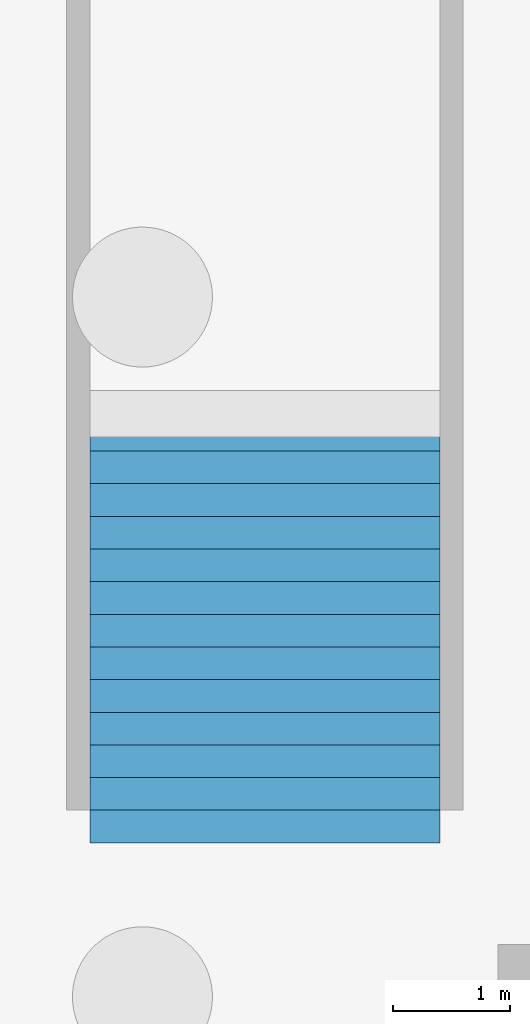
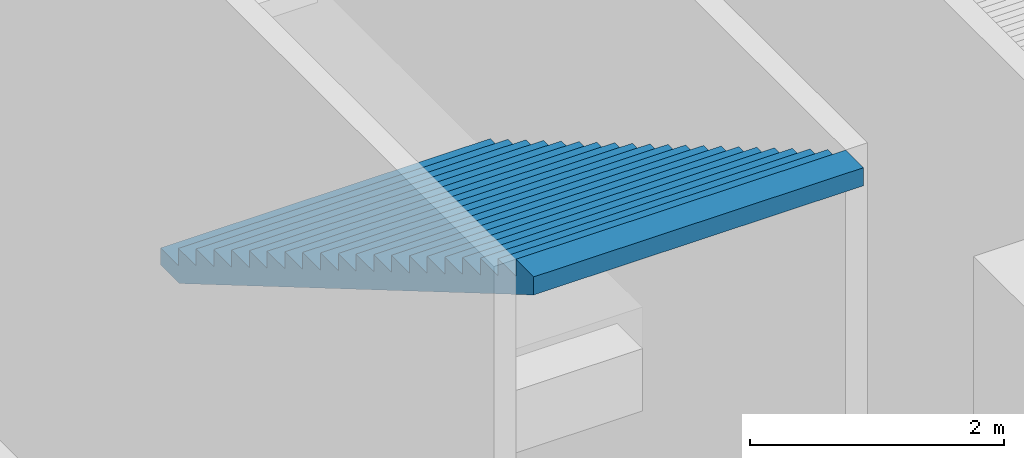
# One storey, part 11 of 16: 1 stair flight, 1 element without a shape of its own.
"""IFC4 building model written with IfcOpenShell, lengths in metres."""

import ifcopenshell
import ifcopenshell.guid

model = None  # the IFC model being written
_history = None  # IfcOwnerHistory: only IFC2X3 demands one
_inside = {}  # id of a spatial element -> (the spatial element, [elements in it])
_under = {}  # id of a project, library or spatial element -> (it, [spatial elements below it])
_declared = {}  # id of a project -> (the project, [libraries it declares])
_typed = {}  # id of a type object -> (the type object, [elements of that type])
_made_of = {}  # id of a material, layer set ... -> (it, [elements and type objects made of it])


def new_model(schema):
    """Start an empty IFC model of exactly this schema.

    Asked for "IFC4X3", IfcOpenShell would pick the latest addendum, in which some entities
    have other attributes; the version numbers below select the first issue.
    IFC2X3 requires an IfcOwnerHistory on every rooted entity: one is made here for all.
    """
    global model, _history
    if schema == "IFC4X3":
        model = ifcopenshell.file(schema_version=(4, 3, 0, 0))
    else:
        model = ifcopenshell.file(schema=schema)
    _inside.clear()
    _under.clear()
    _declared.clear()
    _typed.clear()
    _made_of.clear()
    _history = None
    if model.schema == "IFC2X3":
        org = make("IfcOrganization", Name="unknown")
        user = make(
            "IfcPersonAndOrganization",
            ThePerson=make("IfcPerson", FamilyName="unknown"),
            TheOrganization=org,
        )
        app = make(
            "IfcApplication",
            ApplicationDeveloper=org,
            Version="unknown",
            ApplicationFullName="unknown",
            ApplicationIdentifier="unknown",
        )
        _history = make(
            "IfcOwnerHistory",
            OwningUser=user,
            OwningApplication=app,
            ChangeAction="ADDED",
            CreationDate=0,
        )
    return model


def make(cls, **values):
    """One entity of the class cls with the attributes given. An attribute that is None is left unset."""
    return model.create_entity(
        cls, **{name: value for name, value in values.items() if value is not None}
    )


def rooted(cls, **values):
    """An entity with a GlobalId (a new one), such as an element, a storey or a relation."""
    return make(cls, GlobalId=ifcopenshell.guid.new(), OwnerHistory=_history, **values)


def si_unit(unit_type, name, prefix=None):
    """IfcSIUnit, for example si_unit("LENGTHUNIT", "METRE", prefix="MILLI")."""
    return make("IfcSIUnit", UnitType=unit_type, Prefix=prefix, Name=name)


def assignment(units):
    """IfcUnitAssignment: the units of a project."""
    return None if units is None else make("IfcUnitAssignment", Units=units)


def point(xyz):
    """IfcCartesianPoint."""
    return None if xyz is None else make("IfcCartesianPoint", Coordinates=xyz)


def direction(xyz):
    """IfcDirection."""
    return None if xyz is None else make("IfcDirection", DirectionRatios=xyz)


def frame(location, z_axis=None, x_axis=None):
    """IfcAxis2Placement3D, a coordinate frame: its origin and axes. An axis left out is left unset."""
    return make(
        "IfcAxis2Placement3D",
        Location=point(location),
        Axis=direction(z_axis),
        RefDirection=direction(x_axis),
    )


def origin():
    """The frame at (0, 0, 0) with its axes left unset."""
    return frame((0.0, 0.0, 0.0))


def place(relative_to, where):
    """IfcLocalPlacement: puts the frame where relative to a parent placement (None: the world)."""
    return make(
        "IfcLocalPlacement", PlacementRelTo=relative_to, RelativePlacement=where
    )


def context(
    kind, dimensions, precision=None, world=None, true_north=None, identifier=None
):
    """IfcGeometricRepresentationContext, for example the 3D "Model" context."""
    return make(
        "IfcGeometricRepresentationContext",
        ContextIdentifier=identifier,
        ContextType=kind,
        CoordinateSpaceDimension=dimensions,
        Precision=precision,
        WorldCoordinateSystem=world,
        TrueNorth=true_north,
    )


def subcontext(parent, identifier, kind, view, scale=None):
    """IfcGeometricRepresentationSubContext, for example "Body" below "Model"."""
    return make(
        "IfcGeometricRepresentationSubContext",
        ContextIdentifier=identifier,
        ContextType=kind,
        ParentContext=parent,
        TargetScale=scale,
        TargetView=view,
    )


def project(units=None, contexts=None):
    """IfcProject with its units and contexts."""
    return rooted(
        "IfcProject",
        Name="project",
        RepresentationContexts=contexts,
        UnitsInContext=assignment(units),
    )


def spatial(cls, under=None, at=None, **own):
    """A site, building, storey or space (cls), placed at a placement, below another one or the project."""
    s = rooted(cls, ObjectPlacement=at, **own)
    if under is not None:
        _under.setdefault(under.id(), (under, []))[1].append(s)
    return s


def faces_of(points, faces, orient=None, outer=None):
    """IfcFace entities. A face is a list of loops; a loop is a list of indices into points, from 0.

    orient and outer hold one flag for each loop. By default every Orientation is true, the
    first loop of a face is its IfcFaceOuterBound and the others are IfcFaceBound.
    """
    made = []
    for i, loops in enumerate(faces):
        bounds = []
        for j, loop in enumerate(loops):
            is_outer = j == 0 if outer is None else outer[i][j]
            bounds.append(
                make(
                    "IfcFaceOuterBound" if is_outer else "IfcFaceBound",
                    Bound=make("IfcPolyLoop", Polygon=[points[k] for k in loop]),
                    Orientation=True if orient is None else orient[i][j],
                )
            )
        made.append(make("IfcFace", Bounds=bounds))
    return made


def faceted_brep(points, faces, orient=None, outer=None, voids=None):
    """IfcFacetedBrep: a solid bounded by flat faces; with voids (closed shells), ...WithVoids."""
    shared = [point(p) for p in points]
    hull = make("IfcClosedShell", CfsFaces=faces_of(shared, faces, orient, outer))
    if voids is None:
        return make("IfcFacetedBrep", Outer=hull)
    return make(
        "IfcFacetedBrepWithVoids",
        Outer=hull,
        Voids=[
            make(cls, CfsFaces=faces_of(shared, fs, o, b)) for cls, fs, o, b in voids
        ],
    )


def shape(context_of_items, identifier, shape_type, items):
    """IfcShapeRepresentation: the items that make up one representation, for example the "Body"."""
    return make(
        "IfcShapeRepresentation",
        ContextOfItems=context_of_items,
        RepresentationIdentifier=identifier,
        RepresentationType=shape_type,
        Items=items,
    )


def material(Name=None, Category=None):
    """IfcMaterial."""
    return make("IfcMaterial", Name=Name, Category=Category)


def made_of(thing, what):
    """Note that an element or type object is made of a material, layer set ...; save() writes the relation."""
    if what is not None:
        _made_of.setdefault(what.id(), (what, []))[1].append(thing)
    return thing


def type_object(cls, material=None, **own):
    """A type object (cls), such as IfcWallType, which elements share."""
    return made_of(rooted(cls, **own), material)


def element(
    cls,
    number,
    at=None,
    inside=None,
    cuts=None,
    type_object=None,
    material=None,
    context=None,
    identifier="Body",
    shape_type=None,
    held_by="IfcProductDefinitionShape",
    body=None,
    shapes=None,
    **own,
):
    """One element of the class cls, such as IfcWall. Its Tag is "e" and its number.

    at: its placement. inside: the storey or other place that contains it. cuts: it is an
    opening in that element (IfcRelVoidsElement). A single representation is given by context,
    identifier, shape_type and body (its items); several are given by shapes. held_by: the class
    of the entity that holds the representations. save() writes the other relations.
    """
    e = rooted(cls, Tag="e%d" % number, ObjectPlacement=at, **own)
    if body is not None:
        shapes = [shape(context, identifier, shape_type, body)]
    if shapes is not None:
        e.Representation = make(held_by, Representations=shapes)
    if inside is not None:
        _inside.setdefault(inside.id(), (inside, []))[1].append(e)
    if cuts is not None:
        rooted(
            "IfcRelVoidsElement", RelatingBuildingElement=cuts, RelatedOpeningElement=e
        )
    if type_object is not None:
        _typed.setdefault(type_object.id(), (type_object, []))[1].append(e)
    return made_of(e, material)


def aggregate(whole, parts):
    """IfcRelAggregates: a whole, such as a stair, and the parts it consists of."""
    return rooted("IfcRelAggregates", RelatingObject=whole, RelatedObjects=parts)


def save(model, path):
    """Write the relations noted so far, then the file.

    IfcRelAggregates (storeys below a building ...), IfcRelContainedInSpatialStructure (elements
    in a storey), IfcRelDefinesByType, IfcRelAssociatesMaterial and IfcRelDeclares: one each for
    every whole, place, type object, material and project.
    """
    for whole, parts in _under.values():
        aggregate(whole, parts)
    for where, things in _inside.values():
        rooted(
            "IfcRelContainedInSpatialStructure",
            RelatedElements=things,
            RelatingStructure=where,
        )
    for kind, things in _typed.values():
        rooted("IfcRelDefinesByType", RelatedObjects=things, RelatingType=kind)
    for what, things in _made_of.values():
        rooted("IfcRelAssociatesMaterial", RelatedObjects=things, RelatingMaterial=what)
    for by, libraries in _declared.values():
        rooted("IfcRelDeclares", RelatingContext=by, RelatedDefinitions=libraries)
    model.write(path)


model = new_model("IFC4")

# Units and contexts
model_context = context("Model", 3, precision=1e-05, world=origin(), true_north=direction((0.0, 1.0)))
body_context = subcontext(model_context, "Body", "Model", "MODEL_VIEW")
ifc_project = project(units=[si_unit("LENGTHUNIT", "METRE"), si_unit("AREAUNIT", "SQUARE_METRE"), si_unit("VOLUMEUNIT", "CUBIC_METRE"), si_unit("PLANEANGLEUNIT", "RADIAN"), si_unit("MASSUNIT", "GRAM", prefix="KILO")], contexts=[model_context])

# Site, building, storey
site_placement = place(None, origin())
site = spatial("IfcSite", under=ifc_project, at=site_placement, CompositionType="ELEMENT")
building_placement = place(site_placement, origin())
building = spatial("IfcBuilding", under=site, at=building_placement, Name="Ogive Plaza Stadium", CompositionType="ELEMENT")
storey_placement = place(building_placement, frame((0.0, 0.0, -11.39990234375)))
storey = spatial("IfcBuildingStorey", under=building, at=storey_placement, Name="B2", CompositionType="ELEMENT", Elevation=-11.39990234375)

# Stair, stair flight
ifc_material_1 = material(Name="Concrete C40/50", Category="concrete")
stair_type = type_object("IfcStairType", Name="Station stair 3000", PredefinedType="TWO_STRAIGHT_RUN_STAIR", material=ifc_material_1)
stair_placement = place(storey_placement, origin())
stair = element("IfcStair", 1, at=stair_placement, inside=storey, type_object=stair_type, Name="Stair PS3", PredefinedType="TWO_STRAIGHT_RUN_STAIR")
ifc_material_2 = material(Name="Concrete C40/50", Category="concrete")
stair_flight_type = type_object("IfcStairFlightType", Name="Station stair flight 3000", PredefinedType="STRAIGHT", material=ifc_material_2)
stair_flight_placement = place(storey_placement, frame((105.050048828125, 34.199951171875, 3.449951171875), z_axis=(0.0, 0.0, 1.0), x_axis=(0.0, -1.0, 0.0)))
stair_flight = element("IfcStairFlight", 2, at=stair_flight_placement, type_object=stair_flight_type, Name="PS3 flight 2", NumberOfRisers=21, NumberOfTreads=20, PredefinedType="STRAIGHT", RiserHeight=0.164285714, TreadLength=0.28, context=body_context, shape_type="Brep", body=[
    faceted_brep([(0.296142578125, -1.5, 0.0), (5.8798828125, -1.5, 3.276123046875), (5.8798828125, -1.5, 3.449951171875), (5.60009765625, -1.5, 3.449951171875), (5.60009765625, -1.5, 3.28564453125), (5.320068359375, -1.5, 3.28564453125), (5.320068359375, -1.5, 3.121337890625), (5.0400390625, -1.5, 3.121337890625), (5.0400390625, -1.5, 2.95703125), (4.760009765625, -1.5, 2.95703125), (4.760009765625, -1.5, 2.79296875), (4.47998046875, -1.5, 2.79296875), (4.47998046875, -1.5, 2.628662109375), (4.199951171875, -1.5, 2.628662109375), (4.199951171875, -1.5, 2.46435546875), (3.919921875, -1.5, 2.46435546875), (3.919921875, -1.5, 2.300048828125), (3.639892578125, -1.5, 2.300048828125), (3.639892578125, -1.5, 2.1357421875), (3.360107421875, -1.5, 2.1357421875), (3.360107421875, -1.5, 1.971435546875), (3.080078125, -1.5, 1.971435546875), (3.080078125, -1.5, 1.80712890625), (2.800048828125, -1.5, 1.80712890625), (2.800048828125, -1.5, 1.642822265625), (2.52001953125, -1.5, 1.642822265625), (2.52001953125, -1.5, 1.478515625), (2.239990234375, -1.5, 1.478515625), (2.239990234375, -1.5, 1.314208984375), (1.9599609375, -1.5, 1.314208984375), (1.9599609375, -1.5, 1.14990234375), (1.679931640625, -1.5, 1.14990234375), (1.679931640625, -1.5, 0.985595703125), (1.39990234375, -1.5, 0.985595703125), (1.39990234375, -1.5, 0.821533203125), (1.1201171875, -1.5, 0.821533203125), (1.1201171875, -1.5, 0.6572265625), (0.840087890625, -1.5, 0.6572265625), (0.840087890625, -1.5, 0.492919921875), (0.56005859375, -1.5, 0.492919921875), (0.56005859375, -1.5, 0.32861328125), (0.280029296875, -1.5, 0.32861328125), (0.280029296875, -1.5, 0.164306640625), (0.0, -1.5, 0.164306640625), (0.0, -1.5, 0.0), (0.0, 1.5, 0.0), (0.0, 1.5, 0.164306640625), (0.280029296875, 1.5, 0.164306640625), (0.280029296875, 1.5, 0.32861328125), (0.56005859375, 1.5, 0.32861328125), (0.56005859375, 1.5, 0.492919921875), (0.840087890625, 1.5, 0.492919921875), (0.840087890625, 1.5, 0.6572265625), (1.1201171875, 1.5, 0.6572265625), (1.1201171875, 1.5, 0.821533203125), (1.39990234375, 1.5, 0.821533203125), (1.39990234375, 1.5, 0.985595703125), (1.679931640625, 1.5, 0.985595703125), (1.679931640625, 1.5, 1.14990234375), (1.9599609375, 1.5, 1.14990234375), (1.9599609375, 1.5, 1.314208984375), (2.239990234375, 1.5, 1.314208984375), (2.239990234375, 1.5, 1.478515625), (2.52001953125, 1.5, 1.478515625), (2.52001953125, 1.5, 1.642822265625), (2.800048828125, 1.5, 1.642822265625), (2.800048828125, 1.5, 1.80712890625), (3.080078125, 1.5, 1.80712890625), (3.080078125, 1.5, 1.971435546875), (3.360107421875, 1.5, 1.971435546875), (3.360107421875, 1.5, 2.1357421875), (3.639892578125, 1.5, 2.1357421875), (3.639892578125, 1.5, 2.300048828125), (3.919921875, 1.5, 2.300048828125), (3.919921875, 1.5, 2.46435546875), (4.199951171875, 1.5, 2.46435546875), (4.199951171875, 1.5, 2.628662109375), (4.47998046875, 1.5, 2.628662109375), (4.47998046875, 1.5, 2.79296875), (4.760009765625, 1.5, 2.79296875), (4.760009765625, 1.5, 2.95703125), (5.0400390625, 1.5, 2.95703125), (5.0400390625, 1.5, 3.121337890625), (5.320068359375, 1.5, 3.121337890625), (5.320068359375, 1.5, 3.28564453125), (5.60009765625, 1.5, 3.28564453125), (5.60009765625, 1.5, 3.449951171875), (5.8798828125, 1.5, 3.449951171875), (5.8798828125, 1.5, 3.276123046875), (0.296142578125, 1.5, 0.0), (0.296142578125, -1.166748046875, 0.0), (5.8798828125, -1.166748046875, 3.276123046875), (0.296142578125, -0.833251953125, 0.0), (5.8798828125, -0.833251953125, 3.276123046875), (0.296142578125, -0.5, 0.0), (5.8798828125, -0.5, 3.276123046875), (0.296142578125, -0.166748046875, 0.0), (5.8798828125, -0.166748046875, 3.276123046875), (0.296142578125, 0.166748046875, 0.0), (5.8798828125, 0.166748046875, 3.276123046875), (0.296142578125, 0.5, 0.0), (5.8798828125, 0.5, 3.276123046875), (0.296142578125, 0.833251953125, 0.0), (5.8798828125, 0.833251953125, 3.276123046875), (0.296142578125, 1.166748046875, 0.0), (5.8798828125, 1.166748046875, 3.276123046875), (5.8798828125, -1.166748046875, 3.449951171875), (5.8798828125, -0.833251953125, 3.449951171875), (5.8798828125, -0.5, 3.449951171875), (5.8798828125, -0.166748046875, 3.449951171875), (5.8798828125, 0.166748046875, 3.449951171875), (5.8798828125, 0.5, 3.449951171875), (5.8798828125, 0.833251953125, 3.449951171875), (5.8798828125, 1.166748046875, 3.449951171875), (5.60009765625, -1.166748046875, 3.449951171875), (5.60009765625, -0.833251953125, 3.449951171875), (5.60009765625, -0.5, 3.449951171875), (5.60009765625, -0.166748046875, 3.449951171875), (5.60009765625, 0.166748046875, 3.449951171875), (5.60009765625, 0.5, 3.449951171875), (5.60009765625, 0.833251953125, 3.449951171875), (5.60009765625, 1.166748046875, 3.449951171875), (5.60009765625, -1.166748046875, 3.28564453125), (5.60009765625, -0.833251953125, 3.28564453125), (5.60009765625, -0.5, 3.28564453125), (5.60009765625, -0.166748046875, 3.28564453125), (5.60009765625, 0.166748046875, 3.28564453125), (5.60009765625, 0.5, 3.28564453125), (5.60009765625, 0.833251953125, 3.28564453125), (5.60009765625, 1.166748046875, 3.28564453125), (5.320068359375, -1.166748046875, 3.28564453125), (5.320068359375, -0.833251953125, 3.28564453125), (5.320068359375, -0.5, 3.28564453125), (5.320068359375, -0.166748046875, 3.28564453125), (5.320068359375, 0.166748046875, 3.28564453125), (5.320068359375, 0.5, 3.28564453125), (5.320068359375, 0.833251953125, 3.28564453125), (5.320068359375, 1.166748046875, 3.28564453125), (5.320068359375, -1.166748046875, 3.121337890625), (5.320068359375, -0.833251953125, 3.121337890625), (5.320068359375, -0.5, 3.121337890625), (5.320068359375, -0.166748046875, 3.121337890625), (5.320068359375, 0.166748046875, 3.121337890625), (5.320068359375, 0.5, 3.121337890625), (5.320068359375, 0.833251953125, 3.121337890625), (5.320068359375, 1.166748046875, 3.121337890625), (5.0400390625, -1.166748046875, 3.121337890625), (5.0400390625, -0.833251953125, 3.121337890625), (5.0400390625, -0.5, 3.121337890625), (5.0400390625, -0.166748046875, 3.121337890625), (5.0400390625, 0.166748046875, 3.121337890625), (5.0400390625, 0.5, 3.121337890625), (5.0400390625, 0.833251953125, 3.121337890625), (5.0400390625, 1.166748046875, 3.121337890625), (5.0400390625, -1.166748046875, 2.95703125), (5.0400390625, -0.833251953125, 2.95703125), (5.0400390625, -0.5, 2.95703125), (5.0400390625, -0.166748046875, 2.95703125), (5.0400390625, 0.166748046875, 2.95703125), (5.0400390625, 0.5, 2.95703125), (5.0400390625, 0.833251953125, 2.95703125), (5.0400390625, 1.166748046875, 2.95703125), (4.760009765625, -1.166748046875, 2.95703125), (4.760009765625, -0.833251953125, 2.95703125), (4.760009765625, -0.5, 2.95703125), (4.760009765625, -0.166748046875, 2.95703125), (4.760009765625, 0.166748046875, 2.95703125), (4.760009765625, 0.5, 2.95703125), (4.760009765625, 0.833251953125, 2.95703125), (4.760009765625, 1.166748046875, 2.95703125), (4.760009765625, -1.166748046875, 2.79296875), (4.760009765625, -0.833251953125, 2.79296875), (4.760009765625, -0.5, 2.79296875), (4.760009765625, -0.166748046875, 2.79296875), (4.760009765625, 0.166748046875, 2.79296875), (4.760009765625, 0.5, 2.79296875), (4.760009765625, 0.833251953125, 2.79296875), (4.760009765625, 1.166748046875, 2.79296875), (4.47998046875, -1.166748046875, 2.79296875), (4.47998046875, -0.833251953125, 2.79296875), (4.47998046875, -0.5, 2.79296875), (4.47998046875, -0.166748046875, 2.79296875), (4.47998046875, 0.166748046875, 2.79296875), (4.47998046875, 0.5, 2.79296875), (4.47998046875, 0.833251953125, 2.79296875), (4.47998046875, 1.166748046875, 2.79296875), (4.47998046875, -1.166748046875, 2.628662109375), (4.47998046875, -0.833251953125, 2.628662109375), (4.47998046875, -0.5, 2.628662109375), (4.47998046875, -0.166748046875, 2.628662109375), (4.47998046875, 0.166748046875, 2.628662109375), (4.47998046875, 0.5, 2.628662109375), (4.47998046875, 0.833251953125, 2.628662109375), (4.47998046875, 1.166748046875, 2.628662109375), (4.199951171875, -1.166748046875, 2.628662109375), (4.199951171875, -0.833251953125, 2.628662109375), (4.199951171875, -0.5, 2.628662109375), (4.199951171875, -0.166748046875, 2.628662109375), (4.199951171875, 0.166748046875, 2.628662109375), (4.199951171875, 0.5, 2.628662109375), (4.199951171875, 0.833251953125, 2.628662109375), (4.199951171875, 1.166748046875, 2.628662109375), (4.199951171875, -1.166748046875, 2.46435546875), (4.199951171875, -0.833251953125, 2.46435546875), (4.199951171875, -0.5, 2.46435546875), (4.199951171875, -0.166748046875, 2.46435546875), (4.199951171875, 0.166748046875, 2.46435546875), (4.199951171875, 0.5, 2.46435546875), (4.199951171875, 0.833251953125, 2.46435546875), (4.199951171875, 1.166748046875, 2.46435546875), (3.919921875, -1.166748046875, 2.46435546875), (3.919921875, -0.833251953125, 2.46435546875), (3.919921875, -0.5, 2.46435546875), (3.919921875, -0.166748046875, 2.46435546875), (3.919921875, 0.166748046875, 2.46435546875), (3.919921875, 0.5, 2.46435546875), (3.919921875, 0.833251953125, 2.46435546875), (3.919921875, 1.166748046875, 2.46435546875), (3.919921875, -1.166748046875, 2.300048828125), (3.919921875, -0.833251953125, 2.300048828125), (3.919921875, -0.5, 2.300048828125), (3.919921875, -0.166748046875, 2.300048828125), (3.919921875, 0.166748046875, 2.300048828125), (3.919921875, 0.5, 2.300048828125), (3.919921875, 0.833251953125, 2.300048828125), (3.919921875, 1.166748046875, 2.300048828125), (3.639892578125, -1.166748046875, 2.300048828125), (3.639892578125, -0.833251953125, 2.300048828125), (3.639892578125, -0.5, 2.300048828125), (3.639892578125, -0.166748046875, 2.300048828125), (3.639892578125, 0.166748046875, 2.300048828125), (3.639892578125, 0.5, 2.300048828125), (3.639892578125, 0.833251953125, 2.300048828125), (3.639892578125, 1.166748046875, 2.300048828125), (3.639892578125, -1.166748046875, 2.1357421875), (3.639892578125, -0.833251953125, 2.1357421875), (3.639892578125, -0.5, 2.1357421875), (3.639892578125, -0.166748046875, 2.1357421875), (3.639892578125, 0.166748046875, 2.1357421875), (3.639892578125, 0.5, 2.1357421875), (3.639892578125, 0.833251953125, 2.1357421875), (3.639892578125, 1.166748046875, 2.1357421875), (3.360107421875, -1.166748046875, 2.1357421875), (3.360107421875, -0.833251953125, 2.1357421875), (3.360107421875, -0.5, 2.1357421875), (3.360107421875, -0.166748046875, 2.1357421875), (3.360107421875, 0.166748046875, 2.1357421875), (3.360107421875, 0.5, 2.1357421875), (3.360107421875, 0.833251953125, 2.1357421875), (3.360107421875, 1.166748046875, 2.1357421875), (3.360107421875, -1.166748046875, 1.971435546875), (3.360107421875, -0.833251953125, 1.971435546875), (3.360107421875, -0.5, 1.971435546875), (3.360107421875, -0.166748046875, 1.971435546875), (3.360107421875, 0.166748046875, 1.971435546875), (3.360107421875, 0.5, 1.971435546875), (3.360107421875, 0.833251953125, 1.971435546875), (3.360107421875, 1.166748046875, 1.971435546875), (3.080078125, -1.166748046875, 1.971435546875), (3.080078125, -0.833251953125, 1.971435546875), (3.080078125, -0.5, 1.971435546875), (3.080078125, -0.166748046875, 1.971435546875), (3.080078125, 0.166748046875, 1.971435546875), (3.080078125, 0.5, 1.971435546875), (3.080078125, 0.833251953125, 1.971435546875), (3.080078125, 1.166748046875, 1.971435546875), (3.080078125, -1.166748046875, 1.80712890625), (3.080078125, -0.833251953125, 1.80712890625), (3.080078125, -0.5, 1.80712890625), (3.080078125, -0.166748046875, 1.80712890625), (3.080078125, 0.166748046875, 1.80712890625), (3.080078125, 0.5, 1.80712890625), (3.080078125, 0.833251953125, 1.80712890625), (3.080078125, 1.166748046875, 1.80712890625), (2.800048828125, -1.166748046875, 1.80712890625), (2.800048828125, -0.833251953125, 1.80712890625), (2.800048828125, -0.5, 1.80712890625), (2.800048828125, -0.166748046875, 1.80712890625), (2.800048828125, 0.166748046875, 1.80712890625), (2.800048828125, 0.5, 1.80712890625), (2.800048828125, 0.833251953125, 1.80712890625), (2.800048828125, 1.166748046875, 1.80712890625), (2.800048828125, -1.166748046875, 1.642822265625), (2.800048828125, -0.833251953125, 1.642822265625), (2.800048828125, -0.5, 1.642822265625), (2.800048828125, -0.166748046875, 1.642822265625), (2.800048828125, 0.166748046875, 1.642822265625), (2.800048828125, 0.5, 1.642822265625), (2.800048828125, 0.833251953125, 1.642822265625), (2.800048828125, 1.166748046875, 1.642822265625), (2.52001953125, -1.166748046875, 1.642822265625), (2.52001953125, -0.833251953125, 1.642822265625), (2.52001953125, -0.5, 1.642822265625), (2.52001953125, -0.166748046875, 1.642822265625), (2.52001953125, 0.166748046875, 1.642822265625), (2.52001953125, 0.5, 1.642822265625), (2.52001953125, 0.833251953125, 1.642822265625), (2.52001953125, 1.166748046875, 1.642822265625), (2.52001953125, -1.166748046875, 1.478515625), (2.52001953125, -0.833251953125, 1.478515625), (2.52001953125, -0.5, 1.478515625), (2.52001953125, -0.166748046875, 1.478515625), (2.52001953125, 0.166748046875, 1.478515625), (2.52001953125, 0.5, 1.478515625), (2.52001953125, 0.833251953125, 1.478515625), (2.52001953125, 1.166748046875, 1.478515625), (2.239990234375, -1.166748046875, 1.478515625), (2.239990234375, -0.833251953125, 1.478515625), (2.239990234375, -0.5, 1.478515625), (2.239990234375, -0.166748046875, 1.478515625), (2.239990234375, 0.166748046875, 1.478515625), (2.239990234375, 0.5, 1.478515625), (2.239990234375, 0.833251953125, 1.478515625), (2.239990234375, 1.166748046875, 1.478515625), (2.239990234375, -1.166748046875, 1.314208984375), (2.239990234375, -0.833251953125, 1.314208984375), (2.239990234375, -0.5, 1.314208984375), (2.239990234375, -0.166748046875, 1.314208984375), (2.239990234375, 0.166748046875, 1.314208984375), (2.239990234375, 0.5, 1.314208984375), (2.239990234375, 0.833251953125, 1.314208984375), (2.239990234375, 1.166748046875, 1.314208984375), (1.9599609375, -1.166748046875, 1.314208984375), (1.9599609375, -0.833251953125, 1.314208984375), (1.9599609375, -0.5, 1.314208984375), (1.9599609375, -0.166748046875, 1.314208984375), (1.9599609375, 0.166748046875, 1.314208984375), (1.9599609375, 0.5, 1.314208984375), (1.9599609375, 0.833251953125, 1.314208984375), (1.9599609375, 1.166748046875, 1.314208984375), (1.9599609375, -1.166748046875, 1.14990234375), (1.9599609375, -0.833251953125, 1.14990234375), (1.9599609375, -0.5, 1.14990234375), (1.9599609375, -0.166748046875, 1.14990234375), (1.9599609375, 0.166748046875, 1.14990234375), (1.9599609375, 0.5, 1.14990234375), (1.9599609375, 0.833251953125, 1.14990234375), (1.9599609375, 1.166748046875, 1.14990234375), (1.679931640625, -1.166748046875, 1.14990234375), (1.679931640625, -0.833251953125, 1.14990234375), (1.679931640625, -0.5, 1.14990234375), (1.679931640625, -0.166748046875, 1.14990234375), (1.679931640625, 0.166748046875, 1.14990234375), (1.679931640625, 0.5, 1.14990234375), (1.679931640625, 0.833251953125, 1.14990234375), (1.679931640625, 1.166748046875, 1.14990234375), (1.679931640625, -1.166748046875, 0.985595703125), (1.679931640625, -0.833251953125, 0.985595703125), (1.679931640625, -0.5, 0.985595703125), (1.679931640625, -0.166748046875, 0.985595703125), (1.679931640625, 0.166748046875, 0.985595703125), (1.679931640625, 0.5, 0.985595703125), (1.679931640625, 0.833251953125, 0.985595703125), (1.679931640625, 1.166748046875, 0.985595703125), (1.39990234375, -1.166748046875, 0.985595703125), (1.39990234375, -0.833251953125, 0.985595703125), (1.39990234375, -0.5, 0.985595703125), (1.39990234375, -0.166748046875, 0.985595703125), (1.39990234375, 0.166748046875, 0.985595703125), (1.39990234375, 0.5, 0.985595703125), (1.39990234375, 0.833251953125, 0.985595703125), (1.39990234375, 1.166748046875, 0.985595703125), (1.39990234375, -1.166748046875, 0.821533203125), (1.39990234375, -0.833251953125, 0.821533203125), (1.39990234375, -0.5, 0.821533203125), (1.39990234375, -0.166748046875, 0.821533203125), (1.39990234375, 0.166748046875, 0.821533203125), (1.39990234375, 0.5, 0.821533203125), (1.39990234375, 0.833251953125, 0.821533203125), (1.39990234375, 1.166748046875, 0.821533203125), (1.1201171875, -1.166748046875, 0.821533203125), (1.1201171875, -0.833251953125, 0.821533203125), (1.1201171875, -0.5, 0.821533203125), (1.1201171875, -0.166748046875, 0.821533203125), (1.1201171875, 0.166748046875, 0.821533203125), (1.1201171875, 0.5, 0.821533203125), (1.1201171875, 0.833251953125, 0.821533203125), (1.1201171875, 1.166748046875, 0.821533203125), (1.1201171875, -1.166748046875, 0.6572265625), (1.1201171875, -0.833251953125, 0.6572265625), (1.1201171875, -0.5, 0.6572265625), (1.1201171875, -0.166748046875, 0.6572265625), (1.1201171875, 0.166748046875, 0.6572265625), (1.1201171875, 0.5, 0.6572265625), (1.1201171875, 0.833251953125, 0.6572265625), (1.1201171875, 1.166748046875, 0.6572265625), (0.840087890625, -1.166748046875, 0.6572265625), (0.840087890625, -0.833251953125, 0.6572265625), (0.840087890625, -0.5, 0.6572265625), (0.840087890625, -0.166748046875, 0.6572265625), (0.840087890625, 0.166748046875, 0.6572265625), (0.840087890625, 0.5, 0.6572265625), (0.840087890625, 0.833251953125, 0.6572265625), (0.840087890625, 1.166748046875, 0.6572265625), (0.840087890625, -1.166748046875, 0.492919921875), (0.840087890625, -0.833251953125, 0.492919921875), (0.840087890625, -0.5, 0.492919921875), (0.840087890625, -0.166748046875, 0.492919921875), (0.840087890625, 0.166748046875, 0.492919921875), (0.840087890625, 0.5, 0.492919921875), (0.840087890625, 0.833251953125, 0.492919921875), (0.840087890625, 1.166748046875, 0.492919921875), (0.56005859375, -1.166748046875, 0.492919921875), (0.56005859375, -0.833251953125, 0.492919921875), (0.56005859375, -0.5, 0.492919921875), (0.56005859375, -0.166748046875, 0.492919921875), (0.56005859375, 0.166748046875, 0.492919921875), (0.56005859375, 0.5, 0.492919921875), (0.56005859375, 0.833251953125, 0.492919921875), (0.56005859375, 1.166748046875, 0.492919921875), (0.56005859375, -1.166748046875, 0.32861328125), (0.56005859375, -0.833251953125, 0.32861328125), (0.56005859375, -0.5, 0.32861328125), (0.56005859375, -0.166748046875, 0.32861328125), (0.56005859375, 0.166748046875, 0.32861328125), (0.56005859375, 0.5, 0.32861328125), (0.56005859375, 0.833251953125, 0.32861328125), (0.56005859375, 1.166748046875, 0.32861328125), (0.280029296875, -1.166748046875, 0.32861328125), (0.280029296875, -0.833251953125, 0.32861328125), (0.280029296875, -0.5, 0.32861328125), (0.280029296875, -0.166748046875, 0.32861328125), (0.280029296875, 0.166748046875, 0.32861328125), (0.280029296875, 0.5, 0.32861328125), (0.280029296875, 0.833251953125, 0.32861328125), (0.280029296875, 1.166748046875, 0.32861328125), (0.280029296875, -1.166748046875, 0.164306640625), (0.280029296875, -0.833251953125, 0.164306640625), (0.280029296875, -0.5, 0.164306640625), (0.280029296875, -0.166748046875, 0.164306640625), (0.280029296875, 0.166748046875, 0.164306640625), (0.280029296875, 0.5, 0.164306640625), (0.280029296875, 0.833251953125, 0.164306640625), (0.280029296875, 1.166748046875, 0.164306640625), (0.0, -1.166748046875, 0.164306640625), (0.0, -0.833251953125, 0.164306640625), (0.0, -0.5, 0.164306640625), (0.0, -0.166748046875, 0.164306640625), (0.0, 0.166748046875, 0.164306640625), (0.0, 0.5, 0.164306640625), (0.0, 0.833251953125, 0.164306640625), (0.0, 1.166748046875, 0.164306640625), (0.0, -1.166748046875, 0.0), (0.0, -0.833251953125, 0.0), (0.0, -0.5, 0.0), (0.0, -0.166748046875, 0.0), (0.0, 0.166748046875, 0.0), (0.0, 0.5, 0.0), (0.0, 0.833251953125, 0.0), (0.0, 1.166748046875, 0.0)], [[[0, 1, 2, 3, 4, 5, 6, 7, 8, 9, 10, 11, 12, 13, 14, 15, 16, 17, 18, 19, 20, 21, 22, 23, 24, 25, 26, 27, 28, 29, 30, 31, 32, 33, 34, 35, 36, 37, 38, 39, 40, 41, 42, 43, 44]], [[45, 46, 47, 48, 49, 50, 51, 52, 53, 54, 55, 56, 57, 58, 59, 60, 61, 62, 63, 64, 65, 66, 67, 68, 69, 70, 71, 72, 73, 74, 75, 76, 77, 78, 79, 80, 81, 82, 83, 84, 85, 86, 87, 88, 89]], [[0, 90, 91, 1]], [[90, 92, 93, 91]], [[92, 94, 95, 93]], [[94, 96, 97, 95]], [[96, 98, 99, 97]], [[98, 100, 101, 99]], [[100, 102, 103, 101]], [[102, 104, 105, 103]], [[104, 89, 88, 105]], [[1, 91, 106, 2]], [[91, 93, 107, 106]], [[93, 95, 108, 107]], [[95, 97, 109, 108]], [[97, 99, 110, 109]], [[99, 101, 111, 110]], [[101, 103, 112, 111]], [[103, 105, 113, 112]], [[105, 88, 87, 113]], [[2, 106, 114, 3]], [[106, 107, 115, 114]], [[107, 108, 116, 115]], [[108, 109, 117, 116]], [[109, 110, 118, 117]], [[110, 111, 119, 118]], [[111, 112, 120, 119]], [[112, 113, 121, 120]], [[113, 87, 86, 121]], [[3, 114, 122, 4]], [[114, 115, 123, 122]], [[115, 116, 124, 123]], [[116, 117, 125, 124]], [[117, 118, 126, 125]], [[118, 119, 127, 126]], [[119, 120, 128, 127]], [[120, 121, 129, 128]], [[121, 86, 85, 129]], [[4, 122, 130, 5]], [[122, 123, 131, 130]], [[123, 124, 132, 131]], [[124, 125, 133, 132]], [[125, 126, 134, 133]], [[126, 127, 135, 134]], [[127, 128, 136, 135]], [[128, 129, 137, 136]], [[129, 85, 84, 137]], [[5, 130, 138, 6]], [[130, 131, 139, 138]], [[131, 132, 140, 139]], [[132, 133, 141, 140]], [[133, 134, 142, 141]], [[134, 135, 143, 142]], [[135, 136, 144, 143]], [[136, 137, 145, 144]], [[137, 84, 83, 145]], [[6, 138, 146, 7]], [[138, 139, 147, 146]], [[139, 140, 148, 147]], [[140, 141, 149, 148]], [[141, 142, 150, 149]], [[142, 143, 151, 150]], [[143, 144, 152, 151]], [[144, 145, 153, 152]], [[145, 83, 82, 153]], [[7, 146, 154, 8]], [[146, 147, 155, 154]], [[147, 148, 156, 155]], [[148, 149, 157, 156]], [[149, 150, 158, 157]], [[150, 151, 159, 158]], [[151, 152, 160, 159]], [[152, 153, 161, 160]], [[153, 82, 81, 161]], [[8, 154, 162, 9]], [[154, 155, 163, 162]], [[155, 156, 164, 163]], [[156, 157, 165, 164]], [[157, 158, 166, 165]], [[158, 159, 167, 166]], [[159, 160, 168, 167]], [[160, 161, 169, 168]], [[161, 81, 80, 169]], [[9, 162, 170, 10]], [[162, 163, 171, 170]], [[163, 164, 172, 171]], [[164, 165, 173, 172]], [[165, 166, 174, 173]], [[166, 167, 175, 174]], [[167, 168, 176, 175]], [[168, 169, 177, 176]], [[169, 80, 79, 177]], [[10, 170, 178, 11]], [[170, 171, 179, 178]], [[171, 172, 180, 179]], [[172, 173, 181, 180]], [[173, 174, 182, 181]], [[174, 175, 183, 182]], [[175, 176, 184, 183]], [[176, 177, 185, 184]], [[177, 79, 78, 185]], [[11, 178, 186, 12]], [[178, 179, 187, 186]], [[179, 180, 188, 187]], [[180, 181, 189, 188]], [[181, 182, 190, 189]], [[182, 183, 191, 190]], [[183, 184, 192, 191]], [[184, 185, 193, 192]], [[185, 78, 77, 193]], [[12, 186, 194, 13]], [[186, 187, 195, 194]], [[187, 188, 196, 195]], [[188, 189, 197, 196]], [[189, 190, 198, 197]], [[190, 191, 199, 198]], [[191, 192, 200, 199]], [[192, 193, 201, 200]], [[193, 77, 76, 201]], [[13, 194, 202, 14]], [[194, 195, 203, 202]], [[195, 196, 204, 203]], [[196, 197, 205, 204]], [[197, 198, 206, 205]], [[198, 199, 207, 206]], [[199, 200, 208, 207]], [[200, 201, 209, 208]], [[201, 76, 75, 209]], [[14, 202, 210, 15]], [[202, 203, 211, 210]], [[203, 204, 212, 211]], [[204, 205, 213, 212]], [[205, 206, 214, 213]], [[206, 207, 215, 214]], [[207, 208, 216, 215]], [[208, 209, 217, 216]], [[209, 75, 74, 217]], [[15, 210, 218, 16]], [[210, 211, 219, 218]], [[211, 212, 220, 219]], [[212, 213, 221, 220]], [[213, 214, 222, 221]], [[214, 215, 223, 222]], [[215, 216, 224, 223]], [[216, 217, 225, 224]], [[217, 74, 73, 225]], [[16, 218, 226, 17]], [[218, 219, 227, 226]], [[219, 220, 228, 227]], [[220, 221, 229, 228]], [[221, 222, 230, 229]], [[222, 223, 231, 230]], [[223, 224, 232, 231]], [[224, 225, 233, 232]], [[225, 73, 72, 233]], [[17, 226, 234, 18]], [[226, 227, 235, 234]], [[227, 228, 236, 235]], [[228, 229, 237, 236]], [[229, 230, 238, 237]], [[230, 231, 239, 238]], [[231, 232, 240, 239]], [[232, 233, 241, 240]], [[233, 72, 71, 241]], [[18, 234, 242, 19]], [[234, 235, 243, 242]], [[235, 236, 244, 243]], [[236, 237, 245, 244]], [[237, 238, 246, 245]], [[238, 239, 247, 246]], [[239, 240, 248, 247]], [[240, 241, 249, 248]], [[241, 71, 70, 249]], [[19, 242, 250, 20]], [[242, 243, 251, 250]], [[243, 244, 252, 251]], [[244, 245, 253, 252]], [[245, 246, 254, 253]], [[246, 247, 255, 254]], [[247, 248, 256, 255]], [[248, 249, 257, 256]], [[249, 70, 69, 257]], [[20, 250, 258, 21]], [[250, 251, 259, 258]], [[251, 252, 260, 259]], [[252, 253, 261, 260]], [[253, 254, 262, 261]], [[254, 255, 263, 262]], [[255, 256, 264, 263]], [[256, 257, 265, 264]], [[257, 69, 68, 265]], [[21, 258, 266, 22]], [[258, 259, 267, 266]], [[259, 260, 268, 267]], [[260, 261, 269, 268]], [[261, 262, 270, 269]], [[262, 263, 271, 270]], [[263, 264, 272, 271]], [[264, 265, 273, 272]], [[265, 68, 67, 273]], [[22, 266, 274, 23]], [[266, 267, 275, 274]], [[267, 268, 276, 275]], [[268, 269, 277, 276]], [[269, 270, 278, 277]], [[270, 271, 279, 278]], [[271, 272, 280, 279]], [[272, 273, 281, 280]], [[273, 67, 66, 281]], [[23, 274, 282, 24]], [[274, 275, 283, 282]], [[275, 276, 284, 283]], [[276, 277, 285, 284]], [[277, 278, 286, 285]], [[278, 279, 287, 286]], [[279, 280, 288, 287]], [[280, 281, 289, 288]], [[281, 66, 65, 289]], [[24, 282, 290, 25]], [[282, 283, 291, 290]], [[283, 284, 292, 291]], [[284, 285, 293, 292]], [[285, 286, 294, 293]], [[286, 287, 295, 294]], [[287, 288, 296, 295]], [[288, 289, 297, 296]], [[289, 65, 64, 297]], [[25, 290, 298, 26]], [[290, 291, 299, 298]], [[291, 292, 300, 299]], [[292, 293, 301, 300]], [[293, 294, 302, 301]], [[294, 295, 303, 302]], [[295, 296, 304, 303]], [[296, 297, 305, 304]], [[297, 64, 63, 305]], [[26, 298, 306, 27]], [[298, 299, 307, 306]], [[299, 300, 308, 307]], [[300, 301, 309, 308]], [[301, 302, 310, 309]], [[302, 303, 311, 310]], [[303, 304, 312, 311]], [[304, 305, 313, 312]], [[305, 63, 62, 313]], [[27, 306, 314, 28]], [[306, 307, 315, 314]], [[307, 308, 316, 315]], [[308, 309, 317, 316]], [[309, 310, 318, 317]], [[310, 311, 319, 318]], [[311, 312, 320, 319]], [[312, 313, 321, 320]], [[313, 62, 61, 321]], [[28, 314, 322, 29]], [[314, 315, 323, 322]], [[315, 316, 324, 323]], [[316, 317, 325, 324]], [[317, 318, 326, 325]], [[318, 319, 327, 326]], [[319, 320, 328, 327]], [[320, 321, 329, 328]], [[321, 61, 60, 329]], [[29, 322, 330, 30]], [[322, 323, 331, 330]], [[323, 324, 332, 331]], [[324, 325, 333, 332]], [[325, 326, 334, 333]], [[326, 327, 335, 334]], [[327, 328, 336, 335]], [[328, 329, 337, 336]], [[329, 60, 59, 337]], [[30, 330, 338, 31]], [[330, 331, 339, 338]], [[331, 332, 340, 339]], [[332, 333, 341, 340]], [[333, 334, 342, 341]], [[334, 335, 343, 342]], [[335, 336, 344, 343]], [[336, 337, 345, 344]], [[337, 59, 58, 345]], [[31, 338, 346, 32]], [[338, 339, 347, 346]], [[339, 340, 348, 347]], [[340, 341, 349, 348]], [[341, 342, 350, 349]], [[342, 343, 351, 350]], [[343, 344, 352, 351]], [[344, 345, 353, 352]], [[345, 58, 57, 353]], [[32, 346, 354, 33]], [[346, 347, 355, 354]], [[347, 348, 356, 355]], [[348, 349, 357, 356]], [[349, 350, 358, 357]], [[350, 351, 359, 358]], [[351, 352, 360, 359]], [[352, 353, 361, 360]], [[353, 57, 56, 361]], [[33, 354, 362, 34]], [[354, 355, 363, 362]], [[355, 356, 364, 363]], [[356, 357, 365, 364]], [[357, 358, 366, 365]], [[358, 359, 367, 366]], [[359, 360, 368, 367]], [[360, 361, 369, 368]], [[361, 56, 55, 369]], [[34, 362, 370, 35]], [[362, 363, 371, 370]], [[363, 364, 372, 371]], [[364, 365, 373, 372]], [[365, 366, 374, 373]], [[366, 367, 375, 374]], [[367, 368, 376, 375]], [[368, 369, 377, 376]], [[369, 55, 54, 377]], [[35, 370, 378, 36]], [[370, 371, 379, 378]], [[371, 372, 380, 379]], [[372, 373, 381, 380]], [[373, 374, 382, 381]], [[374, 375, 383, 382]], [[375, 376, 384, 383]], [[376, 377, 385, 384]], [[377, 54, 53, 385]], [[36, 378, 386, 37]], [[378, 379, 387, 386]], [[379, 380, 388, 387]], [[380, 381, 389, 388]], [[381, 382, 390, 389]], [[382, 383, 391, 390]], [[383, 384, 392, 391]], [[384, 385, 393, 392]], [[385, 53, 52, 393]], [[37, 386, 394, 38]], [[386, 387, 395, 394]], [[387, 388, 396, 395]], [[388, 389, 397, 396]], [[389, 390, 398, 397]], [[390, 391, 399, 398]], [[391, 392, 400, 399]], [[392, 393, 401, 400]], [[393, 52, 51, 401]], [[38, 394, 402, 39]], [[394, 395, 403, 402]], [[395, 396, 404, 403]], [[396, 397, 405, 404]], [[397, 398, 406, 405]], [[398, 399, 407, 406]], [[399, 400, 408, 407]], [[400, 401, 409, 408]], [[401, 51, 50, 409]], [[39, 402, 410, 40]], [[402, 403, 411, 410]], [[403, 404, 412, 411]], [[404, 405, 413, 412]], [[405, 406, 414, 413]], [[406, 407, 415, 414]], [[407, 408, 416, 415]], [[408, 409, 417, 416]], [[409, 50, 49, 417]], [[40, 410, 418, 41]], [[410, 411, 419, 418]], [[411, 412, 420, 419]], [[412, 413, 421, 420]], [[413, 414, 422, 421]], [[414, 415, 423, 422]], [[415, 416, 424, 423]], [[416, 417, 425, 424]], [[417, 49, 48, 425]], [[41, 418, 426, 42]], [[418, 419, 427, 426]], [[419, 420, 428, 427]], [[420, 421, 429, 428]], [[421, 422, 430, 429]], [[422, 423, 431, 430]], [[423, 424, 432, 431]], [[424, 425, 433, 432]], [[425, 48, 47, 433]], [[42, 426, 434, 43]], [[426, 427, 435, 434]], [[427, 428, 436, 435]], [[428, 429, 437, 436]], [[429, 430, 438, 437]], [[430, 431, 439, 438]], [[431, 432, 440, 439]], [[432, 433, 441, 440]], [[433, 47, 46, 441]], [[43, 434, 442, 44]], [[434, 435, 443, 442]], [[435, 436, 444, 443]], [[436, 437, 445, 444]], [[437, 438, 446, 445]], [[438, 439, 447, 446]], [[439, 440, 448, 447]], [[440, 441, 449, 448]], [[441, 46, 45, 449]], [[44, 442, 90, 0]], [[442, 443, 92, 90]], [[443, 444, 94, 92]], [[444, 445, 96, 94]], [[445, 446, 98, 96]], [[446, 447, 100, 98]], [[447, 448, 102, 100]], [[448, 449, 104, 102]], [[449, 45, 89, 104]]]),
])
aggregate(stair, [stair_flight])

save(model, "model.ifc")
